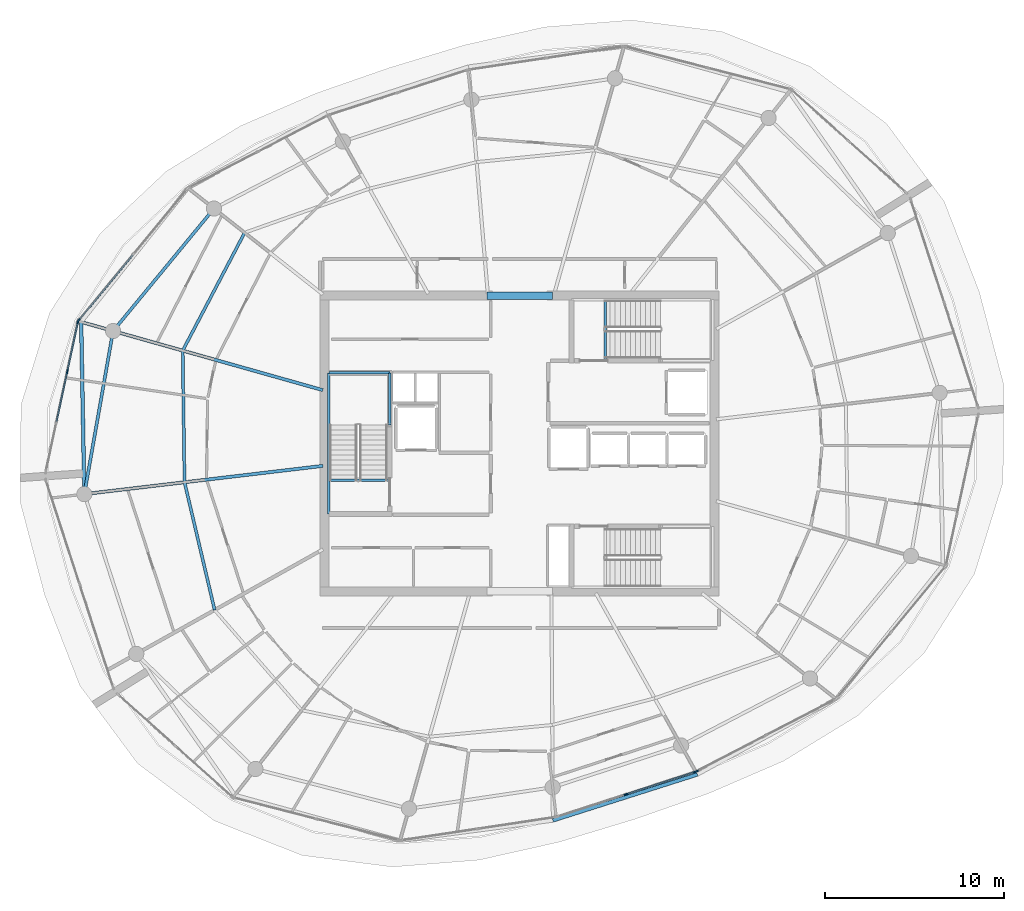
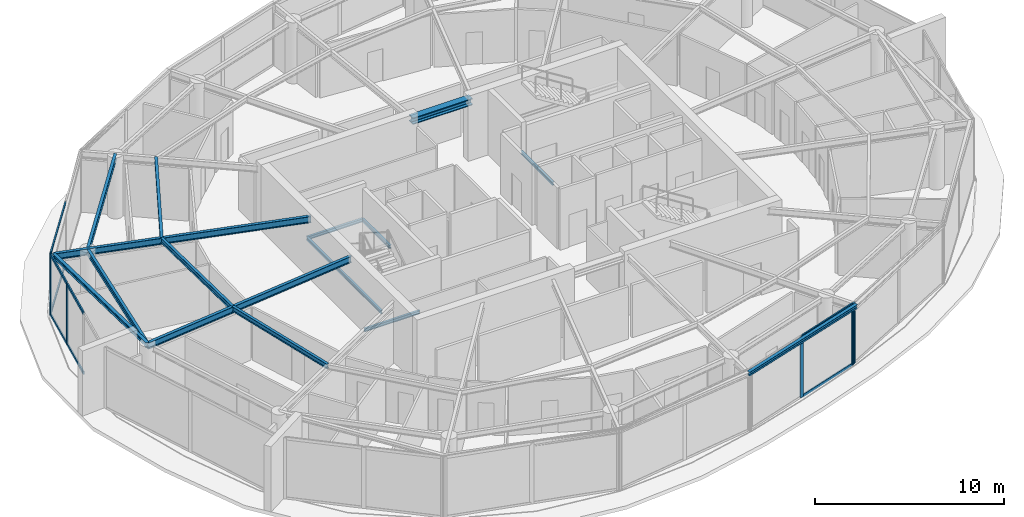
# One storey, part 6 of 16: 15 beams, 14 members, 4 elements without a shape of their own.
"""IFC4 building model written with IfcOpenShell, lengths in metres."""

from ifc_helpers import new_model, si_unit, direction, frame, origin, origin_2d, place, context, subcontext, project, spatial, rectangle, i_section, extrude, material, layer, layer_set, material_profile, profile_set, type_object, element, aggregate, save


model = new_model("IFC4")

# Units and contexts
model_context = context("Model", 3, precision=1e-05, world=origin(), true_north=direction((0.0, 1.0)))
body_context = subcontext(model_context, "Body", "Model", "MODEL_VIEW")
ifc_project = project(units=[si_unit("LENGTHUNIT", "METRE"), si_unit("AREAUNIT", "SQUARE_METRE"), si_unit("VOLUMEUNIT", "CUBIC_METRE"), si_unit("PLANEANGLEUNIT", "RADIAN"), si_unit("MASSUNIT", "GRAM", prefix="KILO")], contexts=[model_context])

# Site, building, storey
site_placement = place(None, origin())
site = spatial("IfcSite", under=ifc_project, at=site_placement, CompositionType="ELEMENT")
building_placement = place(site_placement, origin())
building = spatial("IfcBuilding", under=site, at=building_placement, Name="Kazma Halo Residences", CompositionType="ELEMENT")
storey_placement = place(building_placement, frame((0.0, 0.0, 313.699951171875)))
storey = spatial("IfcBuildingStorey", under=building, at=storey_placement, Name="L79", CompositionType="ELEMENT", Elevation=313.699951171875)

# Beams
ifc_material_1 = material(Name="Steel S355", Category="steel")
ifc_material_profile_1 = material_profile(ifc_material_1, i_section(OverallWidth=0.201904296875, OverallDepth=0.2470703125, WebThickness=0.00732421875, FlangeThickness=0.010986328125, FilletRadius=0.011962890625, at=origin_2d()), Name="W250x49.1")
ifc_profile_set_1 = profile_set([ifc_material_profile_1], Name="Steel S355")
beam_type_1 = type_object("IfcBeamType", Name="BM-BAL-CANT", PredefinedType="BEAM", material=ifc_profile_set_1)
beam_1_placement = place(storey_placement, frame((23.9638671875, 48.77880859375, 3.816650390625), z_axis=(0.018301708623, -0.999832509704, 0.0), x_axis=(0.999832509704, 0.018301708623, 0.0)))
element("IfcBeam", 1, at=beam_1_placement, inside=storey, type_object=beam_type_1, Name="L79 wave-balcony tie beam 07", PredefinedType="BEAM", context=body_context, shape_type="SweptSolid", body=[
    extrude(i_section(OverallWidth=0.201904296875, OverallDepth=0.2470703125, WebThickness=0.00732421875, FlangeThickness=0.010986328125, FilletRadius=0.011962890625, at=origin_2d()), origin(), (0.0, 0.0, 1.0), 9.604736328125),
])
beam_2_placement = place(storey_placement, frame((50.281982421875, 20.970703125, 3.816650390625), z_axis=(0.952916301187, 0.303233446262, 0.0), x_axis=(-0.303233446262, 0.952916301187, 0.0)))
element("IfcBeam", 2, at=beam_2_placement, inside=storey, type_object=beam_type_1, Name="L79 wave-balcony tie beam 12", PredefinedType="BEAM", context=body_context, shape_type="SweptSolid", body=[
    extrude(i_section(OverallWidth=0.201904296875, OverallDepth=0.2470703125, WebThickness=0.00732421875, FlangeThickness=0.010986328125, FilletRadius=0.011962890625, at=origin_2d()), origin(), (0.0, 0.0, 1.0), 8.45703125),
])
ifc_material_profile_2 = material_profile(ifc_material_1, i_section(OverallWidth=0.408935546875, OverallDepth=0.425048828125, WebThickness=0.03271484375, FlangeThickness=0.052490234375, FilletRadius=0.02001953125, at=origin_2d()), Name="W360x421")
ifc_profile_set_2 = profile_set([ifc_material_profile_2], Name="Steel S355")
beam_type_2 = type_object("IfcBeamType", Name="BM-CORE-W360H", PredefinedType="BEAM", material=ifc_profile_set_2)
beam_3_placement = place(storey_placement, frame((46.60009765625, 50.25, 3.7275390625), z_axis=(1.0, 0.0, 0.0), x_axis=(0.0, 1.0, 0.0)))
element("IfcBeam", 3, at=beam_3_placement, inside=storey, type_object=beam_type_2, Name="L79 core coupling beam N", PredefinedType="BEAM", context=body_context, shape_type="SweptSolid", body=[
    extrude(i_section(OverallWidth=0.408935546875, OverallDepth=0.425048828125, WebThickness=0.03271484375, FlangeThickness=0.052490234375, FilletRadius=0.02001953125, at=origin_2d()), origin(), (0.0, 0.0, 1.0), 3.64990234375),
])
ifc_material_profile_3 = material_profile(ifc_material_1, i_section(OverallWidth=0.177978515625, OverallDepth=0.406982421875, WebThickness=0.0078125, FlangeThickness=0.0126953125, FilletRadius=0.013916015625, at=origin_2d()), Name="W410x60")
ifc_profile_set_3 = profile_set([ifc_material_profile_3], Name="Steel S355")
beam_type_3 = type_object("IfcBeamType", Name="BM-RAD-W410", PredefinedType="BEAM", material=ifc_profile_set_3)
beam_4_placement = place(storey_placement, frame((37.449951171875, 44.975341796875, 3.736572265625), z_axis=(-0.962455278458, 0.27144030093, 0.0), x_axis=(-0.27144030093, -0.962455278458, 0.0)))
element("IfcBeam", 4, at=beam_4_placement, inside=storey, type_object=beam_type_3, Name="L79 radial floor beam 07", PredefinedType="BEAM", context=body_context, shape_type="SweptSolid", body=[
    extrude(i_section(OverallWidth=0.177978515625, OverallDepth=0.406982421875, WebThickness=0.0078125, FlangeThickness=0.0126953125, FilletRadius=0.013916015625, at=origin_2d()), origin(), (0.0, 0.0, 1.0), 14.01220703125),
])
beam_5_placement = place(storey_placement, frame((37.449951171875, 40.751220703125, 3.736572265625), z_axis=(-0.993067923032, -0.11754190846, 0.0), x_axis=(0.11754190846, -0.993067923032, 0.0)))
element("IfcBeam", 5, at=beam_5_placement, inside=storey, type_object=beam_type_3, Name="L79 radial floor beam 08", PredefinedType="BEAM", context=body_context, shape_type="SweptSolid", body=[
    extrude(i_section(OverallWidth=0.177978515625, OverallDepth=0.406982421875, WebThickness=0.0078125, FlangeThickness=0.0126953125, FilletRadius=0.013916015625, at=origin_2d()), origin(), (0.0, 0.0, 1.0), 13.4033203125),
])
ifc_material_profile_4 = material_profile(ifc_material_1, i_section(OverallWidth=0.1650390625, OverallDepth=0.31005859375, WebThickness=0.005859375, FlangeThickness=0.009765625, FilletRadius=0.011962890625, at=origin_2d()), Name="W310x38.7")
ifc_profile_set_4 = profile_set([ifc_material_profile_4], Name="Steel S355")
beam_type_4 = type_object("IfcBeamType", Name="BM-SEC-W310B", PredefinedType="JOIST", material=ifc_profile_set_4)
beam_6_placement = place(storey_placement, frame((33.083251953125, 53.759521484375, 3.78515625), z_axis=(-0.464998741676, -0.885311340851, 0.0), x_axis=(0.885311340851, -0.464998741676, 0.0)))
element("IfcBeam", 6, at=beam_6_placement, inside=storey, type_object=beam_type_4, Name="L79 circumferential floor joist 06", PredefinedType="JOIST", context=body_context, shape_type="SweptSolid", body=[
    extrude(i_section(OverallWidth=0.1650390625, OverallDepth=0.31005859375, WebThickness=0.005859375, FlangeThickness=0.009765625, FilletRadius=0.011962890625, at=origin_2d()), origin(), (0.0, 0.0, 1.0), 7.43017578125),
])
beam_7_placement = place(storey_placement, frame((29.628173828125, 47.181396484375, 3.78515625), z_axis=(0.013861699983, -0.999903922021, 0.0), x_axis=(0.999903922021, 0.013861699983, 0.0)))
element("IfcBeam", 7, at=beam_7_placement, inside=storey, type_object=beam_type_4, Name="L79 circumferential floor joist 07", PredefinedType="JOIST", context=body_context, shape_type="SweptSolid", body=[
    extrude(i_section(OverallWidth=0.1650390625, OverallDepth=0.31005859375, WebThickness=0.005859375, FlangeThickness=0.009765625, FilletRadius=0.011962890625, at=origin_2d()), origin(), (0.0, 0.0, 1.0), 7.344482421875),
])
beam_8_placement = place(storey_placement, frame((29.72998046875, 39.837646484375, 3.78515625), z_axis=(0.229446221817, -0.973321340203, 0.0), x_axis=(0.973321340203, 0.229446221817, 0.0)))
element("IfcBeam", 8, at=beam_8_placement, inside=storey, type_object=beam_type_4, Name="L79 circumferential floor joist 08", PredefinedType="JOIST", context=body_context, shape_type="SweptSolid", body=[
    extrude(i_section(OverallWidth=0.1650390625, OverallDepth=0.31005859375, WebThickness=0.005859375, FlangeThickness=0.009765625, FilletRadius=0.011962890625, at=origin_2d()), origin(), (0.0, 0.0, 1.0), 7.32373046875),
])
ifc_material_profile_5 = material_profile(ifc_material_1, i_section(OverallWidth=0.1708984375, OverallDepth=0.35498046875, WebThickness=0.007080078125, FlangeThickness=0.01171875, FilletRadius=0.013916015625, at=origin_2d()), Name="W360x51")
ifc_profile_set_5 = profile_set([ifc_material_profile_5], Name="Steel S355")
beam_type_5 = type_object("IfcBeamType", Name="BM-SPN-W360", PredefinedType="BEAM", material=ifc_profile_set_5)
beam_9_placement = place(storey_placement, frame((31.373779296875, 55.10693359375, 3.762451171875), z_axis=(-0.636004986424, -0.771684946881, 0.0), x_axis=(0.771684946881, -0.636004986424, 0.0)))
element("IfcBeam", 9, at=beam_9_placement, inside=storey, type_object=beam_type_5, Name="L79 perimeter ring beam 06", PredefinedType="BEAM", context=body_context, shape_type="SweptSolid", body=[
    extrude(i_section(OverallWidth=0.1708984375, OverallDepth=0.35498046875, WebThickness=0.007080078125, FlangeThickness=0.01171875, FilletRadius=0.013916015625, at=origin_2d()), origin(), (0.0, 0.0, 1.0), 8.85107421875),
])
beam_10_placement = place(storey_placement, frame((25.744384765625, 48.276611328125, 3.762451171875), z_axis=(-0.173649692956, -0.984807485825, 0.0), x_axis=(0.984807485825, -0.173649692956, 0.0)))
element("IfcBeam", 10, at=beam_10_placement, inside=storey, type_object=beam_type_5, Name="L79 perimeter ring beam 07", PredefinedType="BEAM", context=body_context, shape_type="SweptSolid", body=[
    extrude(i_section(OverallWidth=0.1708984375, OverallDepth=0.35498046875, WebThickness=0.007080078125, FlangeThickness=0.01171875, FilletRadius=0.013916015625, at=origin_2d()), origin(), (0.0, 0.0, 1.0), 9.2412109375),
])
ifc_material_profile_6 = material_profile(ifc_material_1, i_section(OverallWidth=0.133056640625, OverallDepth=0.20703125, WebThickness=0.005859375, FlangeThickness=0.00830078125, FilletRadius=0.010009765625, at=origin_2d()), Name="W200x26.6")
ifc_profile_set_6 = profile_set([ifc_material_profile_6], Name="Steel S355")
beam_type_6 = type_object("IfcBeamType", Name="BM-TRIM-W200", PredefinedType="BEAM", material=ifc_profile_set_6)
for number, where, z_axis, x_axis, name in (
    (11, (37.800048828125, 39.949951171875, -0.510009765625), (1.0, 0.0, 0.0), (0.0, 1.0, 0.0), "L79 ST-01 floor landing support beam"),
    (12, (53.199951171875, 46.6201171875, -0.510009765625), (0.0, 1.0, 0.0), (-1.0, 0.0, 0.0), "L79 ST-02 floor landing support beam"),
):
    element("IfcBeam", number, at=place(storey_placement, frame(where, z_axis=z_axis, x_axis=x_axis)), inside=storey, type_object=beam_type_6, Name=name, PredefinedType="BEAM", context=body_context, shape_type="SweptSolid", body=[
        extrude(i_section(OverallWidth=0.133056640625, OverallDepth=0.20703125, WebThickness=0.005859375, FlangeThickness=0.00830078125, FilletRadius=0.010009765625, at=origin_2d()), origin(), (0.0, 0.0, 1.0), 3.3798828125),
    ])
beam_11_placement = place(storey_placement, frame((37.780029296875, 38.06005859375, 1.795166015625), z_axis=(0.0, 1.0, 0.0), x_axis=(-1.0, 0.0, 0.0)))
element("IfcBeam", 13, at=beam_11_placement, inside=storey, type_object=beam_type_6, Name="L79 ST-01 landing west wall ledger", PredefinedType="BEAM", context=body_context, shape_type="SweptSolid", body=[
    extrude(i_section(OverallWidth=0.133056640625, OverallDepth=0.20703125, WebThickness=0.005859375, FlangeThickness=0.00830078125, FilletRadius=0.010009765625, at=origin_2d()), origin(), (0.0, 0.0, 1.0), 7.8798828125),
])
beam_12_placement = place(storey_placement, frame((41.179931640625, 43.030029296875, 1.795166015625), z_axis=(0.0, 1.0, 0.0), x_axis=(-1.0, 0.0, 0.0)))
element("IfcBeam", 14, at=beam_12_placement, inside=storey, type_object=beam_type_6, Name="L79 ST-01 landing east wall ledger", PredefinedType="BEAM", context=body_context, shape_type="SweptSolid", body=[
    extrude(i_section(OverallWidth=0.133056640625, OverallDepth=0.20703125, WebThickness=0.005859375, FlangeThickness=0.00830078125, FilletRadius=0.010009765625, at=origin_2d()), origin(), (0.0, 0.0, 1.0), 2.909912109375),
])
beam_13_placement = place(storey_placement, frame((37.780029296875, 45.93994140625, 1.795166015625), z_axis=(1.0, 0.0, 0.0), x_axis=(0.0, 1.0, 0.0)))
element("IfcBeam", 15, at=beam_13_placement, inside=storey, type_object=beam_type_6, Name="L79 ST-01 landing end wall ledger", PredefinedType="BEAM", context=body_context, shape_type="SweptSolid", body=[
    extrude(i_section(OverallWidth=0.133056640625, OverallDepth=0.20703125, WebThickness=0.005859375, FlangeThickness=0.00830078125, FilletRadius=0.010009765625, at=origin_2d()), origin(), (0.0, 0.0, 1.0), 3.39990234375),
])

# Curtain wall, member
ifc_material_2 = material(Name="Aluminium AW-6063 T6 and Triple-Silver Low-E Glass", Category="aluminium")
ifc_layer = layer(ifc_material_2, 0.239990234375)
ifc_layer_set = layer_set([ifc_layer], Name="Aluminium AW-6063 T6 and Triple-Silver Low-E Glass")
curtain_wall_type = type_object("IfcCurtainWallType", Name="CW-SYS-6", PredefinedType="NOTDEFINED", material=ifc_layer_set)
curtain_wall_1_placement = place(storey_placement, origin())
curtain_wall_1 = element("IfcCurtainWall", 16, at=curtain_wall_1_placement, inside=storey, type_object=curtain_wall_type, Name="L79 unitised curtain wall B06", PredefinedType="NOTDEFINED")
ifc_material_3 = material(Name="Aluminium AW-6063 T6", Category="aluminium")
ifc_material_profile_7 = material_profile(ifc_material_3, rectangle(XDim=0.080078125, YDim=0.239990234375, at=origin_2d()), Name="CWM-80x240")
ifc_profile_set_7 = profile_set([ifc_material_profile_7], Name="Aluminium AW-6063 T6")
member_type_1 = type_object("IfcMemberType", Name="CW-SYS-6-MUL", PredefinedType="MULLION", material=ifc_profile_set_7)
member_1_placement = place(storey_placement, frame((23.81787109375, 48.858154296875, 0.0), z_axis=(0.0, 0.0, 1.0), x_axis=(0.771014079248, -0.636818097734, 0.0)))
member_1 = element("IfcMember", 17, at=member_1_placement, type_object=member_type_1, Name="CWS-6 mullion 3", PredefinedType="MULLION", context=body_context, shape_type="SweptSolid", body=[
    extrude(rectangle(XDim=0.080078125, YDim=0.239990234375, at=origin_2d()), origin(), (0.0, 0.0, 1.0), 3.93994140625),
])

# Curtain wall, members
curtain_wall_2_placement = place(storey_placement, origin())
curtain_wall_2 = element("IfcCurtainWall", 18, at=curtain_wall_2_placement, inside=storey, type_object=curtain_wall_type, Name="L79 unitised curtain wall B07", PredefinedType="NOTDEFINED")
member_2_placement = place(storey_placement, frame((23.7841796875, 48.7880859375, 0.0), z_axis=(0.0, 0.0, 1.0), x_axis=(0.977760865363, -0.209722888986, 0.0)))
member_2 = element("IfcMember", 19, at=member_2_placement, type_object=member_type_1, Name="CWS-6 mullion 1", PredefinedType="MULLION", context=body_context, shape_type="SweptSolid", body=[
    extrude(rectangle(XDim=0.080078125, YDim=0.239990234375, at=origin_2d()), origin(), (0.0, 0.0, 1.0), 3.93994140625),
])
member_3_placement = place(storey_placement, frame((23.18896484375, 46.013427734375, 0.0), z_axis=(0.0, 0.0, 1.0), x_axis=(0.977760865363, -0.209722888986, 0.0)))
member_3 = element("IfcMember", 20, at=member_3_placement, type_object=member_type_1, Name="CWS-6 mullion 2", PredefinedType="MULLION", context=body_context, shape_type="SweptSolid", body=[
    extrude(rectangle(XDim=0.080078125, YDim=0.239990234375, at=origin_2d()), origin(), (0.0, 0.0, 1.0), 3.93994140625),
])

curtain_wall_3_placement = place(storey_placement, origin())
curtain_wall_3 = element("IfcCurtainWall", 21, at=curtain_wall_3_placement, inside=storey, type_object=curtain_wall_type, Name="L79 unitised curtain wall B12", PredefinedType="NOTDEFINED")
member_4_placement = place(storey_placement, frame((54.36083984375, 22.42333984375, 0.0), z_axis=(0.0, 0.0, 1.0), x_axis=(-0.309019800612, 0.951055604489, 0.0)))
member_4 = element("IfcMember", 22, at=member_4_placement, type_object=member_type_1, Name="CWS-6 mullion 2", PredefinedType="MULLION", context=body_context, shape_type="SweptSolid", body=[
    extrude(rectangle(XDim=0.080078125, YDim=0.239990234375, at=origin_2d()), origin(), (0.0, 0.0, 1.0), 3.93994140625),
])
member_5_placement = place(storey_placement, frame((58.216796875, 23.67626953125, 0.0), z_axis=(0.0, 0.0, 1.0), x_axis=(-0.309019800612, 0.951055604489, 0.0)))
member_5 = element("IfcMember", 23, at=member_5_placement, type_object=member_type_1, Name="CWS-6 mullion 3", PredefinedType="MULLION", context=body_context, shape_type="SweptSolid", body=[
    extrude(rectangle(XDim=0.080078125, YDim=0.239990234375, at=origin_2d()), origin(), (0.0, 0.0, 1.0), 3.93994140625),
])

# Curtain wall, member
curtain_wall_4_placement = place(storey_placement, origin())
curtain_wall_4 = element("IfcCurtainWall", 24, at=curtain_wall_4_placement, inside=storey, type_object=curtain_wall_type, Name="L79 unitised curtain wall B13", PredefinedType="NOTDEFINED")
member_6_placement = place(storey_placement, frame((58.290283203125, 23.70703125, 0.0), z_axis=(0.0, 0.0, 1.0), x_axis=(-0.460796020861, 0.887506071618, 0.0)))
member_6 = element("IfcMember", 25, at=member_6_placement, type_object=member_type_1, Name="CWS-6 mullion 1", PredefinedType="MULLION", context=body_context, shape_type="SweptSolid", body=[
    extrude(rectangle(XDim=0.080078125, YDim=0.239990234375, at=origin_2d()), origin(), (0.0, 0.0, 1.0), 3.93994140625),
])
aggregate(curtain_wall_4, [member_6])

# Member
ifc_material_profile_8 = material_profile(ifc_material_3, rectangle(XDim=0.080078125, YDim=0.179931640625, at=origin_2d()), Name="CWT-80x180")
ifc_profile_set_8 = profile_set([ifc_material_profile_8], Name="Aluminium AW-6063 T6")
member_type_2 = type_object("IfcMemberType", Name="CW-SYS-6-TRN", PredefinedType="USERDEFINED", material=ifc_profile_set_8)
member_7_placement = place(storey_placement, frame((26.83251953125, 52.5078125, 0.0400390625), z_axis=(-0.636816923064, -0.771015049463, 0.0), x_axis=(0.771015049463, -0.636816923064, 0.0)))
member_7 = element("IfcMember", 26, at=member_7_placement, type_object=member_type_2, Name="CWS-6 transom 2.1", ObjectType="TRANSOM", PredefinedType="USERDEFINED", context=body_context, shape_type="SweptSolid", body=[
    extrude(rectangle(XDim=0.080078125, YDim=0.179931640625, at=origin_2d()), origin(), (0.0, 0.0, 1.0), 4.693603515625),
])

member_8_placement = place(storey_placement, frame((26.83251953125, 52.5078125, 3.900146484375), z_axis=(-0.636816923064, -0.771015049463, 0.0), x_axis=(0.771015049463, -0.636816923064, 0.0)))
member_8 = element("IfcMember", 27, at=member_8_placement, type_object=member_type_2, Name="CWS-6 transom 2.2", ObjectType="TRANSOM", PredefinedType="USERDEFINED", context=body_context, shape_type="SweptSolid", body=[
    extrude(rectangle(XDim=0.080078125, YDim=0.179931640625, at=origin_2d()), origin(), (0.0, 0.0, 1.0), 4.693603515625),
])

aggregate(curtain_wall_1, [member_1, member_7, member_8])

member_9_placement = place(storey_placement, frame((23.775634765625, 48.7490234375, 0.0400390625), z_axis=(-0.209716499477, -0.977762235846, 0.0), x_axis=(0.977762235846, -0.209716499477, 0.0)))
member_9 = element("IfcMember", 28, at=member_9_placement, type_object=member_type_2, Name="CWS-6 transom 1.1", ObjectType="TRANSOM", PredefinedType="USERDEFINED", context=body_context, shape_type="SweptSolid", body=[
    extrude(rectangle(XDim=0.080078125, YDim=0.179931640625, at=origin_2d()), origin(), (0.0, 0.0, 1.0), 2.7578125),
])

member_10_placement = place(storey_placement, frame((23.775634765625, 48.7490234375, 3.900146484375), z_axis=(-0.209716499477, -0.977762235846, 0.0), x_axis=(0.977762235846, -0.209716499477, 0.0)))
member_10 = element("IfcMember", 29, at=member_10_placement, type_object=member_type_2, Name="CWS-6 transom 1.2", ObjectType="TRANSOM", PredefinedType="USERDEFINED", context=body_context, shape_type="SweptSolid", body=[
    extrude(rectangle(XDim=0.080078125, YDim=0.179931640625, at=origin_2d()), origin(), (0.0, 0.0, 1.0), 2.7578125),
])

member_11_placement = place(storey_placement, frame((23.1806640625, 45.974365234375, 0.0400390625), z_axis=(-0.209773410621, -0.977750027459, 0.0), x_axis=(0.977750027459, -0.209773410621, 0.0)))
member_11 = element("IfcMember", 30, at=member_11_placement, type_object=member_type_2, Name="CWS-6 transom 2.1", ObjectType="TRANSOM", PredefinedType="USERDEFINED", context=body_context, shape_type="SweptSolid", body=[
    extrude(rectangle(XDim=0.080078125, YDim=0.179931640625, at=origin_2d()), origin(), (0.0, 0.0, 1.0), 2.7978515625),
])

member_12_placement = place(storey_placement, frame((23.1806640625, 45.974365234375, 3.900146484375), z_axis=(-0.209773410621, -0.977750027459, 0.0), x_axis=(0.977750027459, -0.209773410621, 0.0)))
member_12 = element("IfcMember", 31, at=member_12_placement, type_object=member_type_2, Name="CWS-6 transom 2.2", ObjectType="TRANSOM", PredefinedType="USERDEFINED", context=body_context, shape_type="SweptSolid", body=[
    extrude(rectangle(XDim=0.080078125, YDim=0.179931640625, at=origin_2d()), origin(), (0.0, 0.0, 1.0), 2.7978515625),
])

aggregate(curtain_wall_2, [member_2, member_3, member_9, member_10, member_11, member_12])

member_13_placement = place(storey_placement, frame((54.39892578125, 22.435791015625, 0.0400390625), z_axis=(0.951045805211, 0.309049957758, 0.0), x_axis=(-0.309049957758, 0.951045805211, 0.0)))
member_13 = element("IfcMember", 32, at=member_13_placement, type_object=member_type_2, Name="CWS-6 transom 2.1", ObjectType="TRANSOM", PredefinedType="USERDEFINED", context=body_context, shape_type="SweptSolid", body=[
    extrude(rectangle(XDim=0.080078125, YDim=0.179931640625, at=origin_2d()), origin(), (0.0, 0.0, 1.0), 3.974365234375),
])

member_14_placement = place(storey_placement, frame((54.39892578125, 22.435791015625, 3.900146484375), z_axis=(0.951045805211, 0.309049957758, 0.0), x_axis=(-0.309049957758, 0.951045805211, 0.0)))
member_14 = element("IfcMember", 33, at=member_14_placement, type_object=member_type_2, Name="CWS-6 transom 2.2", ObjectType="TRANSOM", PredefinedType="USERDEFINED", context=body_context, shape_type="SweptSolid", body=[
    extrude(rectangle(XDim=0.080078125, YDim=0.179931640625, at=origin_2d()), origin(), (0.0, 0.0, 1.0), 3.974365234375),
])

aggregate(curtain_wall_3, [member_4, member_5, member_13, member_14])

save(model, "model.ifc")
